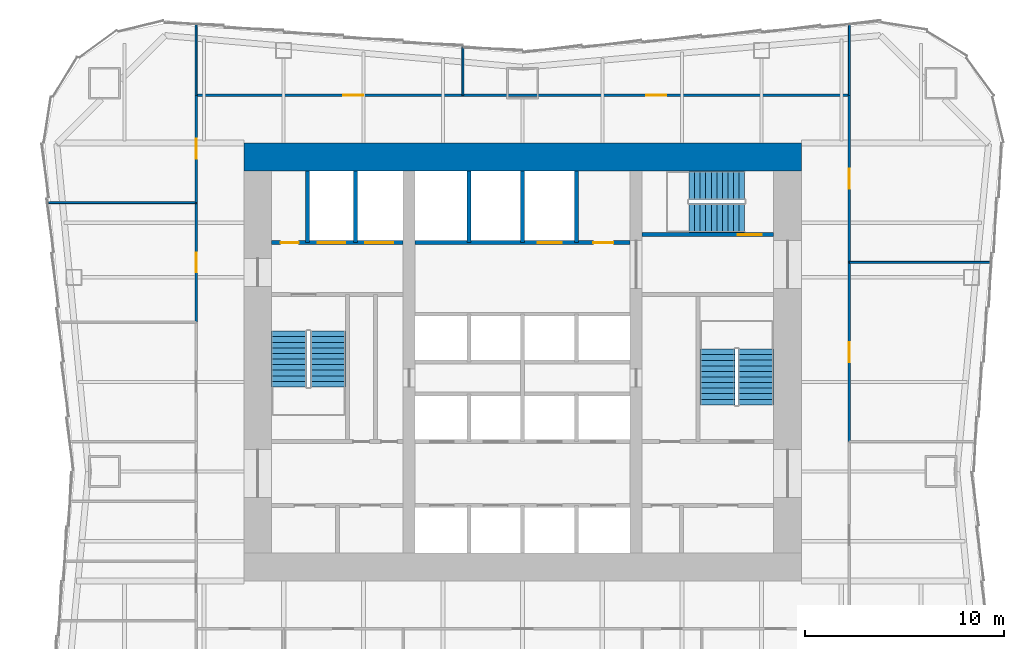
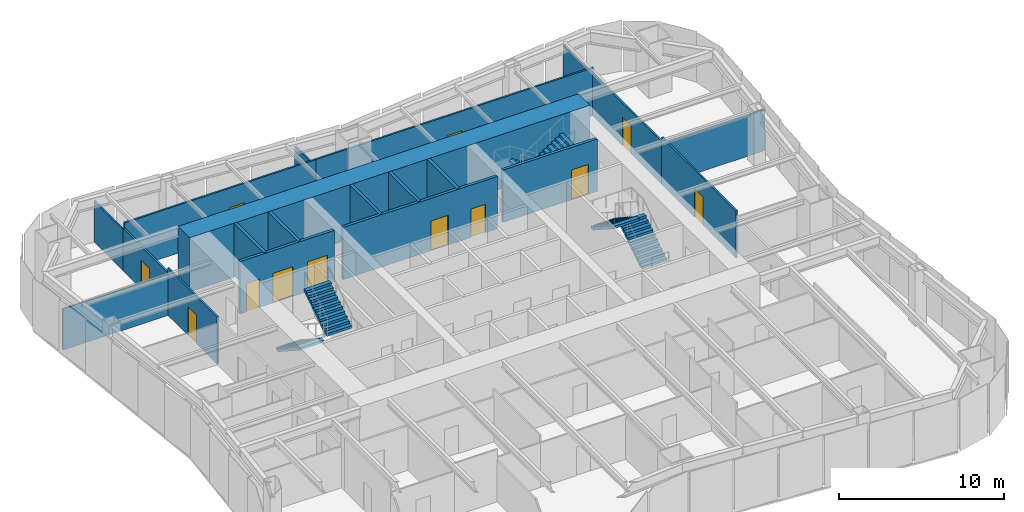
# One storey, part 6 of 8: 20 walls, 12 doors, 6 stair flights, 12 openings, 3 elements without a shape of their own.
"""IFC4 building model written with IfcOpenShell, lengths in metres."""

from ifc_helpers import new_model, si_unit, direction, frame, frame_2d, origin, place, context, subcontext, project, spatial, polyline, rectangle, outline, extrude, material, layer, layer_set, type_object, element, fill, aggregate, save


model = new_model("IFC4")

# Units and contexts
model_context = context("Model", 3, precision=1e-05, world=origin(), true_north=direction((0.0, 1.0)))
body_context = subcontext(model_context, "Body", "Model", "MODEL_VIEW")
ifc_project = project(units=[si_unit("LENGTHUNIT", "METRE"), si_unit("AREAUNIT", "SQUARE_METRE"), si_unit("VOLUMEUNIT", "CUBIC_METRE"), si_unit("PLANEANGLEUNIT", "RADIAN"), si_unit("MASSUNIT", "GRAM", prefix="KILO")], contexts=[model_context])

# Site, building, storey
site_placement = place(None, origin())
site = spatial("IfcSite", under=ifc_project, at=site_placement, CompositionType="ELEMENT")
building_placement = place(site_placement, origin())
building = spatial("IfcBuilding", under=site, at=building_placement, Name="Verdant Reach Tower", CompositionType="ELEMENT")
storey_placement = place(building_placement, frame((0.0, 0.0, 22.0)))
storey = spatial("IfcBuildingStorey", under=building, at=storey_placement, Name="L04", CompositionType="ELEMENT", Elevation=22.0)

# Wall, openings, doors
ifc_material_1 = material(Name="Concrete C40/50", Category="concrete")
ifc_layer_1 = layer(ifc_material_1, 0.199951171875)
ifc_layer_set_1 = layer_set([ifc_layer_1], Name="CO-WALL-SHAFT")
wall_type_1 = type_object("IfcWallType", Name="CO-WALL-SHAFT", PredefinedType="PARTITIONING", material=ifc_layer_set_1)
wall_1_placement = place(storey_placement, frame((-12.60009765625, 34.0, 0.0), z_axis=(0.0, 0.0, 1.0), x_axis=(1.0, 0.0, 0.0)))
wall_1 = element("IfcWall", 1, at=wall_1_placement, inside=storey, type_object=wall_type_1, Name="Lift shaft wall, L04", PredefinedType="PARTITIONING", context=body_context, shape_type="SweptSolid", body=[
    extrude(rectangle(XDim=6.60009765625, YDim=0.199951171875, at=frame_2d((3.300048828125, 0.0))), origin(), (0.0, 0.0, 1.0), 3.8701171875),
])
opening_1_placement = place(wall_1_placement, frame((4.699951171875, 0.0, 0.0)))
opening_1 = element("IfcOpeningElement", 2, at=opening_1_placement, cuts=wall_1, Name="Opening LD-F1", PredefinedType="OPENING", context=body_context, shape_type="SweptSolid", body=[
    extrude(rectangle(XDim=1.39990234375, YDim=2.199951171875, at=frame_2d((0.699951171875, 1.10009765625))), frame((0.0, 0.10986328125, 0.0), z_axis=(0.0, -1.0, 0.0), x_axis=(1.0, 0.0, 0.0)), (0.0, 0.0, 1.0), 0.219970703125),
])
opening_2_placement = place(wall_1_placement, frame((2.300048828125, 0.0, 0.0)))
opening_2 = element("IfcOpeningElement", 3, at=opening_2_placement, cuts=wall_1, Name="Opening LD-F2", PredefinedType="OPENING", context=body_context, shape_type="SweptSolid", body=[
    extrude(rectangle(XDim=1.39990234375, YDim=2.199951171875, at=frame_2d((0.699951171875, 1.10009765625))), frame((0.0, 0.10986328125, 0.0), z_axis=(0.0, -1.0, 0.0), x_axis=(1.0, 0.0, 0.0)), (0.0, 0.0, 1.0), 0.219970703125),
])
opening_3_placement = place(wall_1_placement, frame((0.449951171875, 0.0, 0.0)))
opening_3 = element("IfcOpeningElement", 4, at=opening_3_placement, cuts=wall_1, Name="Opening RD", PredefinedType="OPENING", context=body_context, shape_type="SweptSolid", body=[
    extrude(rectangle(XDim=0.89990234375, YDim=2.10009765625, at=frame_2d((0.449951171875, 1.050048828125))), frame((0.0, 0.10986328125, 0.0), z_axis=(0.0, -1.0, 0.0), x_axis=(1.0, 0.0, 0.0)), (0.0, 0.0, 1.0), 0.219970703125),
])
ifc_material_2 = material(Name="Stainless steel", Category="steel")
door_type_1 = type_object("IfcDoorType", Name="CO-DOOR-LANDING-FF", OperationType="SLIDING_TO_LEFT", PredefinedType="DOOR", material=ifc_material_2)
door_1_placement = place(opening_1_placement, origin())
door_1 = element("IfcDoor", 5, at=door_1_placement, inside=storey, type_object=door_type_1, Name="Landing door F1, L04", OperationType="SLIDING_TO_LEFT", OverallHeight=2.199951171875, OverallWidth=1.39990234375, PredefinedType="DOOR", context=body_context, shape_type="SweptSolid", body=[
    extrude(rectangle(XDim=1.39990234375, YDim=2.199951171875, at=frame_2d((0.699951171875, 1.10009765625))), frame((0.0, 0.02490234375, 0.0), z_axis=(0.0, -1.0, 0.0), x_axis=(1.0, 0.0, 0.0)), (0.0, 0.0, 1.0), 0.050048828125),
])
fill(opening_1, door_1)
door_2_placement = place(opening_2_placement, origin())
door_2 = element("IfcDoor", 6, at=door_2_placement, inside=storey, type_object=door_type_1, Name="Landing door F2, L04", OperationType="SLIDING_TO_LEFT", OverallHeight=2.199951171875, OverallWidth=1.39990234375, PredefinedType="DOOR", context=body_context, shape_type="SweptSolid", body=[
    extrude(rectangle(XDim=1.39990234375, YDim=2.199951171875, at=frame_2d((0.699951171875, 1.10009765625))), frame((0.0, 0.02490234375, 0.0), z_axis=(0.0, -1.0, 0.0), x_axis=(1.0, 0.0, 0.0)), (0.0, 0.0, 1.0), 0.050048828125),
])
fill(opening_2, door_2)
ifc_material_3 = material(Name="Steel", Category="steel")
door_type_2 = type_object("IfcDoorType", Name="CO-DOOR-RISER", OperationType="NOTDEFINED", PredefinedType="DOOR", material=ifc_material_3)
door_3_placement = place(opening_3_placement, origin())
door_3 = element("IfcDoor", 7, at=door_3_placement, inside=storey, type_object=door_type_2, Name="Core room door, L04", OperationType="SINGLE_SWING_RIGHT", OverallHeight=2.10009765625, OverallWidth=0.89990234375, PredefinedType="DOOR", context=body_context, shape_type="SweptSolid", body=[
    extrude(rectangle(XDim=0.89990234375, YDim=2.10009765625, at=frame_2d((0.449951171875, 1.050048828125))), frame((0.0, 0.02490234375, 0.0), z_axis=(0.0, -1.0, 0.0), x_axis=(1.0, 0.0, 0.0)), (0.0, 0.0, 1.0), 0.050048828125),
])
fill(opening_3, door_3)

wall_2_placement = place(storey_placement, frame((-5.39990234375, 34.0, 0.0), z_axis=(0.0, 0.0, 1.0), x_axis=(1.0, 0.0, 0.0)))
wall_2 = element("IfcWall", 8, at=wall_2_placement, inside=storey, type_object=wall_type_1, Name="Lift shaft wall, L04", PredefinedType="PARTITIONING", context=body_context, shape_type="SweptSolid", body=[
    extrude(rectangle(XDim=10.7998046875, YDim=0.199951171875, at=frame_2d((5.39990234375, 0.0))), origin(), (0.0, 0.0, 1.0), 3.8701171875),
])
opening_4_placement = place(wall_2_placement, frame((6.14990234375, 0.0, 0.0)))
opening_4 = element("IfcOpeningElement", 9, at=opening_4_placement, cuts=wall_2, Name="Opening LD-SL1", PredefinedType="OPENING", context=body_context, shape_type="SweptSolid", body=[
    extrude(rectangle(XDim=1.199951171875, YDim=2.199951171875, at=frame_2d((0.60009765625, 1.10009765625))), frame((0.0, 0.10986328125, 0.0), z_axis=(0.0, -1.0, 0.0), x_axis=(1.0, 0.0, 0.0)), (0.0, 0.0, 1.0), 0.219970703125),
])
opening_5_placement = place(wall_2_placement, frame((8.949951171875, 0.0, 0.0)))
opening_5 = element("IfcOpeningElement", 10, at=opening_5_placement, cuts=wall_2, Name="Opening CD", PredefinedType="OPENING", context=body_context, shape_type="SweptSolid", body=[
    extrude(rectangle(XDim=1.0, YDim=2.10009765625, at=frame_2d((0.5, 1.050048828125))), frame((0.0, 0.10986328125, 0.0), z_axis=(0.0, -1.0, 0.0), x_axis=(1.0, 0.0, 0.0)), (0.0, 0.0, 1.0), 0.219970703125),
])
door_type_3 = type_object("IfcDoorType", Name="CO-DOOR-LANDING", OperationType="SLIDING_TO_LEFT", PredefinedType="DOOR", material=ifc_material_2)
door_4_placement = place(opening_4_placement, origin())
door_4 = element("IfcDoor", 11, at=door_4_placement, inside=storey, type_object=door_type_3, Name="Landing door SL1, L04", OperationType="SLIDING_TO_LEFT", OverallHeight=2.199951171875, OverallWidth=1.199951171875, PredefinedType="DOOR", context=body_context, shape_type="SweptSolid", body=[
    extrude(rectangle(XDim=1.199951171875, YDim=2.199951171875, at=frame_2d((0.60009765625, 1.10009765625))), frame((0.0, 0.02490234375, 0.0), z_axis=(0.0, -1.0, 0.0), x_axis=(1.0, 0.0, 0.0)), (0.0, 0.0, 1.0), 0.050048828125),
])
fill(opening_4, door_4)
ifc_material_4 = material(Name="Timber", Category="wood")
door_type_4 = type_object("IfcDoorType", Name="CO-DOOR-ROOM", OperationType="NOTDEFINED", PredefinedType="DOOR", material=ifc_material_4)
door_5_placement = place(opening_5_placement, origin())
door_5 = element("IfcDoor", 12, at=door_5_placement, inside=storey, type_object=door_type_4, Name="Core room door, L04", OperationType="SINGLE_SWING_LEFT", OverallHeight=2.10009765625, OverallWidth=1.0, PredefinedType="DOOR", context=body_context, shape_type="SweptSolid", body=[
    extrude(rectangle(XDim=1.0, YDim=2.10009765625, at=frame_2d((0.5, 1.050048828125))), frame((0.0, 0.02490234375, 0.0), z_axis=(0.0, -1.0, 0.0), x_axis=(1.0, 0.0, 0.0)), (0.0, 0.0, 1.0), 0.050048828125),
])
fill(opening_5, door_5)

# Walls
for number, where, z_axis, x_axis, name in (
    (13, (-10.800048828125, 34.0, 0.0), (0.0, 0.0, 1.0), (0.0, 1.0, 0.0), "Lift shaft wall, L04"),
    (14, (-8.39990234375, 34.0, 0.0), (0.0, 0.0, 1.0), (0.0, 1.0, 0.0), "Lift shaft wall, L04"),
    (15, (-2.699951171875, 34.0, 0.0), (0.0, 0.0, 1.0), (0.0, 1.0, 0.0), "Lift shaft wall, L04"),
    (16, (0.0, 34.0, 0.0), (0.0, 0.0, 1.0), (0.0, 1.0, 0.0), "Lift shaft wall, L04"),
    (17, (2.699951171875, 34.0, 0.0), (0.0, 0.0, 1.0), (0.0, 1.0, 0.0), "Lift shaft wall, L04"),
):
    element("IfcWall", number, at=place(storey_placement, frame(where, z_axis=z_axis, x_axis=x_axis)), inside=storey, type_object=wall_type_1, Name=name, PredefinedType="PARTITIONING", context=body_context, shape_type="SweptSolid", body=[
        extrude(rectangle(XDim=3.60009765625, YDim=0.199951171875, at=frame_2d((1.800048828125, 0.0))), origin(), (0.0, 0.0, 1.0), 3.8701171875),
    ])

# Wall, opening, door
ifc_layer_2 = layer(ifc_material_1, 0.199951171875)
ifc_layer_set_2 = layer_set([ifc_layer_2], Name="CO-WALL-STAIR")
wall_type_2 = type_object("IfcWallType", Name="CO-WALL-STAIR", PredefinedType="PARTITIONING", material=ifc_layer_set_2)
wall_3_placement = place(storey_placement, frame((6.0, 34.39990234375, 0.0), z_axis=(0.0, 0.0, 1.0), x_axis=(1.0, 0.0, 0.0)))
wall_3 = element("IfcWall", 18, at=wall_3_placement, inside=storey, type_object=wall_type_2, Name="Stair enclosure wall, L04", PredefinedType="PARTITIONING", context=body_context, shape_type="SweptSolid", body=[
    extrude(rectangle(XDim=6.60009765625, YDim=0.199951171875, at=frame_2d((3.300048828125, 0.0))), origin(), (0.0, 0.0, 1.0), 3.8701171875),
])
opening_6_placement = place(wall_3_placement, frame((4.800048828125, 0.0, 0.0)))
opening_6 = element("IfcOpeningElement", 19, at=opening_6_placement, cuts=wall_3, Name="Opening SD", PredefinedType="OPENING", context=body_context, shape_type="SweptSolid", body=[
    extrude(rectangle(XDim=1.199951171875, YDim=2.199951171875, at=frame_2d((0.60009765625, 1.10009765625))), frame((0.0, 0.10986328125, 0.0), z_axis=(0.0, -1.0, 0.0), x_axis=(1.0, 0.0, 0.0)), (0.0, 0.0, 1.0), 0.219970703125),
])
door_type_5 = type_object("IfcDoorType", Name="CO-DOOR-STAIR", OperationType="NOTDEFINED", PredefinedType="DOOR", material=ifc_material_3)
door_6_placement = place(opening_6_placement, origin())
door_6 = element("IfcDoor", 20, at=door_6_placement, inside=storey, type_object=door_type_5, Name="Stair door, L04", OperationType="SINGLE_SWING_RIGHT", OverallHeight=2.199951171875, OverallWidth=1.199951171875, PredefinedType="DOOR", context=body_context, shape_type="SweptSolid", body=[
    extrude(rectangle(XDim=1.199951171875, YDim=2.199951171875, at=frame_2d((0.60009765625, 1.10009765625))), frame((0.0, 0.02490234375, 0.0), z_axis=(0.0, -1.0, 0.0), x_axis=(1.0, 0.0, 0.0)), (0.0, 0.0, 1.0), 0.050048828125),
])
fill(opening_6, door_6)

# Walls
ifc_material_5 = material(Name="Gypsum board on steel studs", Category="steel")
ifc_layer_3 = layer(ifc_material_5, 0.10009765625)
ifc_layer_set_3 = layer_set([ifc_layer_3], Name="FL-W1 Partition 100")
wall_type_3 = type_object("IfcWallType", Name="FL-W1 Partition 100", PredefinedType="PARTITIONING", material=ifc_layer_set_3)
wall_4_placement = place(storey_placement, frame((-3.0, 41.39990234375, 0.0), z_axis=(0.0, 0.0, 1.0), x_axis=(0.0, 1.0, 0.0)))
element("IfcWall", 21, at=wall_4_placement, inside=storey, type_object=wall_type_3, Name="Partition 04.42", PredefinedType="PARTITIONING", context=body_context, shape_type="SweptSolid", body=[
    extrude(rectangle(XDim=2.43017578125, YDim=0.10009765625, at=frame_2d((1.215087890625, 0.0))), origin(), (0.0, 0.0, 1.0), 3.0400390625),
])
for number, where, z_axis, x_axis, name in (
    (22, (-16.39990234375, 44.94677734375, 0.0), (0.0, 0.0, 1.0), (0.0, -1.0, 0.0), "Partition 04.43"),
    (23, (16.39990234375, 41.39599609375, 0.0), (0.0, 0.0, 1.0), (0.0, 1.0, 0.0), "Partition 04.44"),
):
    element("IfcWall", number, at=place(storey_placement, frame(where, z_axis=z_axis, x_axis=x_axis)), inside=storey, type_object=wall_type_3, Name=name, PredefinedType="PARTITIONING", context=body_context, shape_type="SweptSolid", body=[
        extrude(rectangle(XDim=3.55078125, YDim=0.10009765625, at=frame_2d((1.775390625, 0.0))), origin(), (0.0, 0.0, 1.0), 3.0400390625),
    ])
wall_5_placement = place(storey_placement, frame((-16.39990234375, 36.0, 0.0), z_axis=(0.0, 0.0, 1.0), x_axis=(-1.0, 0.0, 0.0)))
element("IfcWall", 24, at=wall_5_placement, inside=storey, type_object=wall_type_3, Name="Partition 04.50", PredefinedType="PARTITIONING", context=body_context, shape_type="SweptSolid", body=[
    extrude(rectangle(XDim=7.407470703125, YDim=0.10009765625, at=frame_2d((3.70361328125, 0.0))), origin(), (0.0, 0.0, 1.0), 3.0400390625),
])
wall_6_placement = place(storey_placement, frame((23.534423828125, 33.0, 0.0), z_axis=(0.0, 0.0, 1.0), x_axis=(-1.0, 0.0, 0.0)))
element("IfcWall", 25, at=wall_6_placement, inside=storey, type_object=wall_type_3, Name="Partition 04.52", PredefinedType="PARTITIONING", context=body_context, shape_type="SweptSolid", body=[
    extrude(rectangle(XDim=7.134521484375, YDim=0.10009765625, at=frame_2d((3.5673828125, 0.0))), origin(), (0.0, 0.0, 1.0), 3.0400390625),
])

# Wall, opening, door
ifc_material_6 = material(Name="Gypsum board on steel studs, fire rated", Category="steel")
ifc_layer_4 = layer(ifc_material_6, 0.125)
ifc_layer_set_4 = layer_set([ifc_layer_4], Name="FL-W2 Corridor wall 125")
wall_type_4 = type_object("IfcWallType", Name="FL-W2 Corridor wall 125", PredefinedType="PARTITIONING", material=ifc_layer_set_4)
wall_7_placement = place(storey_placement, frame((-16.39990234375, 41.39990234375, 0.0), z_axis=(0.0, 0.0, 1.0), x_axis=(1.0, 0.0, 0.0)))
wall_7 = element("IfcWall", 26, at=wall_7_placement, inside=storey, type_object=wall_type_4, Name="Partition 04.06", PredefinedType="PARTITIONING", context=body_context, shape_type="SweptSolid", body=[
    extrude(rectangle(XDim=13.39990234375, YDim=0.125, at=frame_2d((6.699951171875, 0.0))), origin(), (0.0, 0.0, 1.0), 3.5400390625),
])
opening_7_placement = place(wall_7_placement, frame((7.39990234375, 0.0, 0.0)))
opening_7 = element("IfcOpeningElement", 27, at=opening_7_placement, cuts=wall_7, Name="Opening D2", PredefinedType="OPENING", context=body_context, shape_type="SweptSolid", body=[
    extrude(rectangle(XDim=1.0, YDim=2.10009765625, at=frame_2d((0.5, 1.050048828125))), frame((0.0, 0.072509765625, 0.0), z_axis=(0.0, -1.0, 0.0), x_axis=(1.0, 0.0, 0.0)), (0.0, 0.0, 1.0), 0.14501953125),
])
ifc_material_7 = material(Name="Timber door leaf, fire rated", Category="wood")
door_type_6 = type_object("IfcDoorType", Name="FL-D2 Entrance door 1000x2100 FD30", OperationType="NOTDEFINED", PredefinedType="DOOR", material=ifc_material_7)
door_7_placement = place(opening_7_placement, origin())
door_7 = element("IfcDoor", 28, at=door_7_placement, inside=storey, type_object=door_type_6, Name="Door 04-006", OperationType="SINGLE_SWING_RIGHT", OverallHeight=2.10009765625, OverallWidth=1.0, PredefinedType="DOOR", context=body_context, shape_type="SweptSolid", body=[
    extrude(rectangle(XDim=1.0, YDim=2.10009765625, at=frame_2d((0.5, 1.050048828125))), frame((0.0, 0.02490234375, 0.0), z_axis=(0.0, -1.0, 0.0), x_axis=(1.0, 0.0, 0.0)), (0.0, 0.0, 1.0), 0.050048828125),
])
fill(opening_7, door_7)

wall_8_placement = place(storey_placement, frame((-3.0, 41.39990234375, 0.0), z_axis=(0.0, 0.0, 1.0), x_axis=(1.0, 0.0, 0.0)))
wall_8 = element("IfcWall", 29, at=wall_8_placement, inside=storey, type_object=wall_type_4, Name="Partition 04.07", PredefinedType="PARTITIONING", context=body_context, shape_type="SweptSolid", body=[
    extrude(rectangle(XDim=19.39990234375, YDim=0.125, at=frame_2d((9.699951171875, 0.0))), origin(), (0.0, 0.0, 1.0), 3.5400390625),
])
opening_8_placement = place(wall_8_placement, frame((9.199951171875, 0.0, 0.0)))
opening_8 = element("IfcOpeningElement", 30, at=opening_8_placement, cuts=wall_8, Name="Opening D2", PredefinedType="OPENING", context=body_context, shape_type="SweptSolid", body=[
    extrude(rectangle(XDim=1.0, YDim=2.10009765625, at=frame_2d((0.5, 1.050048828125))), frame((0.0, 0.072509765625, 0.0), z_axis=(0.0, -1.0, 0.0), x_axis=(1.0, 0.0, 0.0)), (0.0, 0.0, 1.0), 0.14501953125),
])
door_8_placement = place(opening_8_placement, origin())
door_8 = element("IfcDoor", 31, at=door_8_placement, inside=storey, type_object=door_type_6, Name="Door 04-007", OperationType="SINGLE_SWING_LEFT", OverallHeight=2.10009765625, OverallWidth=1.0, PredefinedType="DOOR", context=body_context, shape_type="SweptSolid", body=[
    extrude(rectangle(XDim=1.0, YDim=2.10009765625, at=frame_2d((0.5, 1.050048828125))), frame((0.0, 0.02490234375, 0.0), z_axis=(0.0, -1.0, 0.0), x_axis=(1.0, 0.0, 0.0)), (0.0, 0.0, 1.0), 0.050048828125),
])
fill(opening_8, door_8)

wall_9_placement = place(storey_placement, frame((-16.39990234375, 30.0, 0.0), z_axis=(0.0, 0.0, 1.0), x_axis=(0.0, 1.0, 0.0)))
wall_9 = element("IfcWall", 32, at=wall_9_placement, inside=storey, type_object=wall_type_4, Name="Partition 04.13", PredefinedType="PARTITIONING", context=body_context, shape_type="SweptSolid", body=[
    extrude(rectangle(XDim=6.0, YDim=0.125, at=frame_2d((3.0, 0.0))), origin(), (0.0, 0.0, 1.0), 3.47998046875),
])
opening_9_placement = place(wall_9_placement, frame((2.5, 0.0, 0.0)))
opening_9 = element("IfcOpeningElement", 33, at=opening_9_placement, cuts=wall_9, Name="Opening D2", PredefinedType="OPENING", context=body_context, shape_type="SweptSolid", body=[
    extrude(rectangle(XDim=1.0, YDim=2.10009765625, at=frame_2d((0.5, 1.050048828125))), frame((0.0, 0.072509765625, 0.0), z_axis=(0.0, -1.0, 0.0), x_axis=(1.0, 0.0, 0.0)), (0.0, 0.0, 1.0), 0.14501953125),
])
door_9_placement = place(opening_9_placement, origin())
door_9 = element("IfcDoor", 34, at=door_9_placement, inside=storey, type_object=door_type_6, Name="Door 04-012", OperationType="SINGLE_SWING_RIGHT", OverallHeight=2.10009765625, OverallWidth=1.0, PredefinedType="DOOR", context=body_context, shape_type="SweptSolid", body=[
    extrude(rectangle(XDim=1.0, YDim=2.10009765625, at=frame_2d((0.5, 1.050048828125))), frame((0.0, 0.02490234375, 0.0), z_axis=(0.0, -1.0, 0.0), x_axis=(1.0, 0.0, 0.0)), (0.0, 0.0, 1.0), 0.050048828125),
])
fill(opening_9, door_9)

wall_10_placement = place(storey_placement, frame((-16.39990234375, 36.0, 0.0), z_axis=(0.0, 0.0, 1.0), x_axis=(0.0, 1.0, 0.0)))
wall_10 = element("IfcWall", 35, at=wall_10_placement, inside=storey, type_object=wall_type_4, Name="Partition 04.14", PredefinedType="PARTITIONING", context=body_context, shape_type="SweptSolid", body=[
    extrude(rectangle(XDim=5.404052734375, YDim=0.125, at=frame_2d((2.7021484375, 0.0))), origin(), (0.0, 0.0, 1.0), 3.139892578125),
])
opening_10_placement = place(wall_10_placement, frame((2.201904296875, 0.0, 0.0)))
opening_10 = element("IfcOpeningElement", 36, at=opening_10_placement, cuts=wall_10, Name="Opening D2", PredefinedType="OPENING", context=body_context, shape_type="SweptSolid", body=[
    extrude(rectangle(XDim=1.0, YDim=2.10009765625, at=frame_2d((0.5, 1.050048828125))), frame((0.0, 0.072509765625, 0.0), z_axis=(0.0, -1.0, 0.0), x_axis=(1.0, 0.0, 0.0)), (0.0, 0.0, 1.0), 0.14501953125),
])
door_10_placement = place(opening_10_placement, origin())
door_10 = element("IfcDoor", 37, at=door_10_placement, inside=storey, type_object=door_type_6, Name="Door 04-013", OperationType="SINGLE_SWING_LEFT", OverallHeight=2.10009765625, OverallWidth=1.0, PredefinedType="DOOR", context=body_context, shape_type="SweptSolid", body=[
    extrude(rectangle(XDim=1.0, YDim=2.10009765625, at=frame_2d((0.5, 1.050048828125))), frame((0.0, 0.02490234375, 0.0), z_axis=(0.0, -1.0, 0.0), x_axis=(1.0, 0.0, 0.0)), (0.0, 0.0, 1.0), 0.050048828125),
])
fill(opening_10, door_10)

wall_11_placement = place(storey_placement, frame((16.39990234375, 33.0, 0.0), z_axis=(0.0, 0.0, 1.0), x_axis=(0.0, -1.0, 0.0)))
wall_11 = element("IfcWall", 38, at=wall_11_placement, inside=storey, type_object=wall_type_4, Name="Partition 04.16", PredefinedType="PARTITIONING", context=body_context, shape_type="SweptSolid", body=[
    extrude(rectangle(XDim=9.0, YDim=0.125, at=frame_2d((4.5, 0.0))), origin(), (0.0, 0.0, 1.0), 3.47998046875),
])
opening_11_placement = place(wall_11_placement, frame((4.0, 0.0, 0.0)))
opening_11 = element("IfcOpeningElement", 39, at=opening_11_placement, cuts=wall_11, Name="Opening D2", PredefinedType="OPENING", context=body_context, shape_type="SweptSolid", body=[
    extrude(rectangle(XDim=1.0, YDim=2.10009765625, at=frame_2d((0.5, 1.050048828125))), frame((0.0, 0.072509765625, 0.0), z_axis=(0.0, -1.0, 0.0), x_axis=(1.0, 0.0, 0.0)), (0.0, 0.0, 1.0), 0.14501953125),
])
door_11_placement = place(opening_11_placement, origin())
door_11 = element("IfcDoor", 40, at=door_11_placement, inside=storey, type_object=door_type_6, Name="Door 04-015", OperationType="SINGLE_SWING_LEFT", OverallHeight=2.10009765625, OverallWidth=1.0, PredefinedType="DOOR", context=body_context, shape_type="SweptSolid", body=[
    extrude(rectangle(XDim=1.0, YDim=2.10009765625, at=frame_2d((0.5, 1.050048828125))), frame((0.0, 0.02490234375, 0.0), z_axis=(0.0, -1.0, 0.0), x_axis=(1.0, 0.0, 0.0)), (0.0, 0.0, 1.0), 0.050048828125),
])
fill(opening_11, door_11)

wall_12_placement = place(storey_placement, frame((16.39990234375, 41.404052734375, 0.0), z_axis=(0.0, 0.0, 1.0), x_axis=(0.0, -1.0, 0.0)))
wall_12 = element("IfcWall", 41, at=wall_12_placement, inside=storey, type_object=wall_type_4, Name="Partition 04.17", PredefinedType="PARTITIONING", context=body_context, shape_type="SweptSolid", body=[
    extrude(rectangle(XDim=8.404052734375, YDim=0.125, at=frame_2d((4.2021484375, 0.0))), origin(), (0.0, 0.0, 1.0), 3.139892578125),
])
opening_12_placement = place(wall_12_placement, frame((3.701904296875, 0.0, 0.0)))
opening_12 = element("IfcOpeningElement", 42, at=opening_12_placement, cuts=wall_12, Name="Opening D2", PredefinedType="OPENING", context=body_context, shape_type="SweptSolid", body=[
    extrude(rectangle(XDim=1.0, YDim=2.10009765625, at=frame_2d((0.5, 1.050048828125))), frame((0.0, 0.072509765625, 0.0), z_axis=(0.0, -1.0, 0.0), x_axis=(1.0, 0.0, 0.0)), (0.0, 0.0, 1.0), 0.14501953125),
])
door_12_placement = place(opening_12_placement, origin())
door_12 = element("IfcDoor", 43, at=door_12_placement, inside=storey, type_object=door_type_6, Name="Door 04-016", OperationType="SINGLE_SWING_RIGHT", OverallHeight=2.10009765625, OverallWidth=1.0, PredefinedType="DOOR", context=body_context, shape_type="SweptSolid", body=[
    extrude(rectangle(XDim=1.0, YDim=2.10009765625, at=frame_2d((0.5, 1.050048828125))), frame((0.0, 0.02490234375, 0.0), z_axis=(0.0, -1.0, 0.0), x_axis=(1.0, 0.0, 0.0)), (0.0, 0.0, 1.0), 0.050048828125),
])
fill(opening_12, door_12)

# Wall
ifc_material_8 = material(Name="Concrete C70/85", Category="concrete")
ifc_layer_5 = layer(ifc_material_8, 1.39990234375)
ifc_layer_set_5 = layer_set([ifc_layer_5], Name="ST-CORE-WALL-1400")
wall_type_5 = type_object("IfcWallType", Name="ST-CORE-WALL-1400", PredefinedType="SHEAR", material=ifc_layer_set_5)
wall_13_placement = place(storey_placement, frame((-14.0, 38.300048828125, -0.1298828125), z_axis=(0.0, 0.0, 1.0), x_axis=(1.0, 0.0, 0.0)))
element("IfcWall", 44, at=wall_13_placement, inside=storey, type_object=wall_type_5, Name="Core wall N, L04", PredefinedType="SHEAR", context=body_context, shape_type="SweptSolid", body=[
    extrude(rectangle(XDim=28.0, YDim=1.39990234375, at=frame_2d((14.0, 0.0))), origin(), (0.0, 0.0, 1.0), 4.0),
])

# Stair, stair flights
stair_type = type_object("IfcStairType", Name="CO-STAIR", PredefinedType="HALF_TURN_STAIR", material=ifc_material_1)
stair_1_placement = place(storey_placement, origin())
stair_1 = element("IfcStair", 45, at=stair_1_placement, inside=storey, type_object=stair_type, Name="L04 Exit stair 1", PredefinedType="HALF_TURN_STAIR")
stair_flight_type = type_object("IfcStairFlightType", Name="CO-STAIR-FLIGHT", PredefinedType="STRAIGHT", material=ifc_material_1)
stair_flight_1_placement = place(storey_placement, frame((-11.72509765625, 29.550048828125, 0.0), z_axis=(0.0, 0.0, 1.0), x_axis=(0.0, -1.0, 0.0)))
stair_flight_1 = element("IfcStairFlight", 46, at=stair_flight_1_placement, type_object=stair_flight_type, Name="ST-1 flight 1", NumberOfRisers=11, NumberOfTreads=10, PredefinedType="STRAIGHT", RiserHeight=0.181818182, TreadLength=0.28, context=body_context, shape_type="SweptSolid", body=[
    extrude(outline(polyline([(0.0, 0.0), (0.0, 0.181884765625), (0.280029296875, 0.181884765625), (0.280029296875, 0.363525390625), (0.56005859375, 0.363525390625), (0.56005859375, 0.54541015625), (0.840087890625, 0.54541015625), (0.840087890625, 0.727294921875), (1.1201171875, 0.727294921875), (1.1201171875, 0.9091796875), (1.39990234375, 0.9091796875), (1.39990234375, 1.0908203125), (1.679931640625, 1.0908203125), (1.679931640625, 1.272705078125), (1.9599609375, 1.272705078125), (1.9599609375, 1.45458984375), (2.239990234375, 1.45458984375), (2.239990234375, 1.636474609375), (2.52001953125, 1.636474609375), (2.52001953125, 1.818115234375), (2.800048828125, 1.818115234375), (2.800048828125, 2.0), (2.800048828125, 1.639404296875), (0.275146484375, 0.0), (0.0, 0.0)])), frame((0.0, 0.875, 0.0), z_axis=(0.0, -1.0, 0.0), x_axis=(1.0, 0.0, 0.0)), (0.0, 0.0, 1.0), 1.75),
])
stair_flight_2_placement = place(storey_placement, frame((-9.77490234375, 26.75, 2.0), z_axis=(0.0, 0.0, 1.0), x_axis=(0.0, 1.0, 0.0)))
stair_flight_2 = element("IfcStairFlight", 47, at=stair_flight_2_placement, type_object=stair_flight_type, Name="ST-1 flight 2", NumberOfRisers=11, NumberOfTreads=10, PredefinedType="STRAIGHT", RiserHeight=0.181818182, TreadLength=0.28, context=body_context, shape_type="SweptSolid", body=[
    extrude(outline(polyline([(0.0, 0.0), (0.0, 0.181884765625), (0.280029296875, 0.181884765625), (0.280029296875, 0.363525390625), (0.56005859375, 0.363525390625), (0.56005859375, 0.54541015625), (0.840087890625, 0.54541015625), (0.840087890625, 0.727294921875), (1.1201171875, 0.727294921875), (1.1201171875, 0.9091796875), (1.39990234375, 0.9091796875), (1.39990234375, 1.0908203125), (1.679931640625, 1.0908203125), (1.679931640625, 1.272705078125), (1.9599609375, 1.272705078125), (1.9599609375, 1.45458984375), (2.239990234375, 1.45458984375), (2.239990234375, 1.636474609375), (2.52001953125, 1.636474609375), (2.52001953125, 1.818115234375), (2.800048828125, 1.818115234375), (2.800048828125, 2.0), (2.800048828125, 1.639404296875), (0.275146484375, 0.0), (0.0, 0.0)])), frame((0.0, 0.875, 0.0), z_axis=(0.0, -1.0, 0.0), x_axis=(1.0, 0.0, 0.0)), (0.0, 0.0, 1.0), 1.75),
])
aggregate(stair_1, [stair_flight_1, stair_flight_2])

stair_2_placement = place(storey_placement, origin())
stair_2 = element("IfcStair", 48, at=stair_2_placement, inside=storey, type_object=stair_type, Name="L04 Exit stair 2", PredefinedType="HALF_TURN_STAIR")
stair_flight_3_placement = place(storey_placement, frame((11.72509765625, 25.85009765625, 0.0), z_axis=(0.0, 0.0, 1.0), x_axis=(0.0, 1.0, 0.0)))
stair_flight_3 = element("IfcStairFlight", 49, at=stair_flight_3_placement, type_object=stair_flight_type, Name="ST-2 flight 1", NumberOfRisers=11, NumberOfTreads=10, PredefinedType="STRAIGHT", RiserHeight=0.181818182, TreadLength=0.28, context=body_context, shape_type="SweptSolid", body=[
    extrude(outline(polyline([(0.0, 0.0), (0.0, 0.181884765625), (0.280029296875, 0.181884765625), (0.280029296875, 0.363525390625), (0.56005859375, 0.363525390625), (0.56005859375, 0.54541015625), (0.840087890625, 0.54541015625), (0.840087890625, 0.727294921875), (1.1201171875, 0.727294921875), (1.1201171875, 0.9091796875), (1.39990234375, 0.9091796875), (1.39990234375, 1.0908203125), (1.679931640625, 1.0908203125), (1.679931640625, 1.272705078125), (1.9599609375, 1.272705078125), (1.9599609375, 1.45458984375), (2.239990234375, 1.45458984375), (2.239990234375, 1.636474609375), (2.52001953125, 1.636474609375), (2.52001953125, 1.818115234375), (2.800048828125, 1.818115234375), (2.800048828125, 2.0), (2.800048828125, 1.639404296875), (0.275146484375, 0.0), (0.0, 0.0)])), frame((0.0, 0.875, 0.0), z_axis=(0.0, -1.0, 0.0), x_axis=(1.0, 0.0, 0.0)), (0.0, 0.0, 1.0), 1.75),
])
stair_flight_4_placement = place(storey_placement, frame((9.77490234375, 28.64990234375, 2.0), z_axis=(0.0, 0.0, 1.0), x_axis=(0.0, -1.0, 0.0)))
stair_flight_4 = element("IfcStairFlight", 50, at=stair_flight_4_placement, type_object=stair_flight_type, Name="ST-2 flight 2", NumberOfRisers=11, NumberOfTreads=10, PredefinedType="STRAIGHT", RiserHeight=0.181818182, TreadLength=0.28, context=body_context, shape_type="SweptSolid", body=[
    extrude(outline(polyline([(0.0, 0.0), (0.0, 0.181884765625), (0.280029296875, 0.181884765625), (0.280029296875, 0.363525390625), (0.56005859375, 0.363525390625), (0.56005859375, 0.54541015625), (0.840087890625, 0.54541015625), (0.840087890625, 0.727294921875), (1.1201171875, 0.727294921875), (1.1201171875, 0.9091796875), (1.39990234375, 0.9091796875), (1.39990234375, 1.0908203125), (1.679931640625, 1.0908203125), (1.679931640625, 1.272705078125), (1.9599609375, 1.272705078125), (1.9599609375, 1.45458984375), (2.239990234375, 1.45458984375), (2.239990234375, 1.636474609375), (2.52001953125, 1.636474609375), (2.52001953125, 1.818115234375), (2.800048828125, 1.818115234375), (2.800048828125, 2.0), (2.800048828125, 1.639404296875), (0.275146484375, 0.0), (0.0, 0.0)])), frame((0.0, 0.875, 0.0), z_axis=(0.0, -1.0, 0.0), x_axis=(1.0, 0.0, 0.0)), (0.0, 0.0, 1.0), 1.75),
])
aggregate(stair_2, [stair_flight_3, stair_flight_4])

stair_3_placement = place(storey_placement, origin())
stair_3 = element("IfcStair", 51, at=stair_3_placement, inside=storey, type_object=stair_type, Name="L04 Exit stair 3", PredefinedType="HALF_TURN_STAIR")
stair_flight_5_placement = place(storey_placement, frame((11.14990234375, 36.875, 0.0), z_axis=(0.0, 0.0, 1.0), x_axis=(-1.0, 0.0, 0.0)))
stair_flight_5 = element("IfcStairFlight", 52, at=stair_flight_5_placement, type_object=stair_flight_type, Name="ST-3 flight 1", NumberOfRisers=11, NumberOfTreads=10, PredefinedType="STRAIGHT", RiserHeight=0.181818182, TreadLength=0.28, context=body_context, shape_type="SweptSolid", body=[
    extrude(outline(polyline([(0.0, 0.0), (0.0, 0.181884765625), (0.280029296875, 0.181884765625), (0.280029296875, 0.363525390625), (0.56005859375, 0.363525390625), (0.56005859375, 0.54541015625), (0.840087890625, 0.54541015625), (0.840087890625, 0.727294921875), (1.1201171875, 0.727294921875), (1.1201171875, 0.9091796875), (1.39990234375, 0.9091796875), (1.39990234375, 1.0908203125), (1.679931640625, 1.0908203125), (1.679931640625, 1.272705078125), (1.9599609375, 1.272705078125), (1.9599609375, 1.45458984375), (2.239990234375, 1.45458984375), (2.239990234375, 1.636474609375), (2.52001953125, 1.636474609375), (2.52001953125, 1.818115234375), (2.800048828125, 1.818115234375), (2.800048828125, 2.0), (2.800048828125, 1.639404296875), (0.275146484375, 0.0), (0.0, 0.0)])), frame((0.0, 0.72509765625, 0.0), z_axis=(0.0, -1.0, 0.0), x_axis=(1.0, 0.0, 0.0)), (0.0, 0.0, 1.0), 1.449951171875),
])
stair_flight_6_placement = place(storey_placement, frame((8.35009765625, 35.22509765625, 2.0), z_axis=(0.0, 0.0, 1.0), x_axis=(1.0, 0.0, 0.0)))
stair_flight_6 = element("IfcStairFlight", 53, at=stair_flight_6_placement, type_object=stair_flight_type, Name="ST-3 flight 2", NumberOfRisers=11, NumberOfTreads=10, PredefinedType="STRAIGHT", RiserHeight=0.181818182, TreadLength=0.28, context=body_context, shape_type="SweptSolid", body=[
    extrude(outline(polyline([(0.0, 0.0), (0.0, 0.181884765625), (0.280029296875, 0.181884765625), (0.280029296875, 0.363525390625), (0.56005859375, 0.363525390625), (0.56005859375, 0.54541015625), (0.840087890625, 0.54541015625), (0.840087890625, 0.727294921875), (1.1201171875, 0.727294921875), (1.1201171875, 0.9091796875), (1.39990234375, 0.9091796875), (1.39990234375, 1.0908203125), (1.679931640625, 1.0908203125), (1.679931640625, 1.272705078125), (1.9599609375, 1.272705078125), (1.9599609375, 1.45458984375), (2.239990234375, 1.45458984375), (2.239990234375, 1.636474609375), (2.52001953125, 1.636474609375), (2.52001953125, 1.818115234375), (2.800048828125, 1.818115234375), (2.800048828125, 2.0), (2.800048828125, 1.639404296875), (0.275146484375, 0.0), (0.0, 0.0)])), frame((0.0, 0.72509765625, 0.0), z_axis=(0.0, -1.0, 0.0), x_axis=(1.0, 0.0, 0.0)), (0.0, 0.0, 1.0), 1.449951171875),
])
aggregate(stair_3, [stair_flight_5, stair_flight_6])

save(model, "model.ifc")
